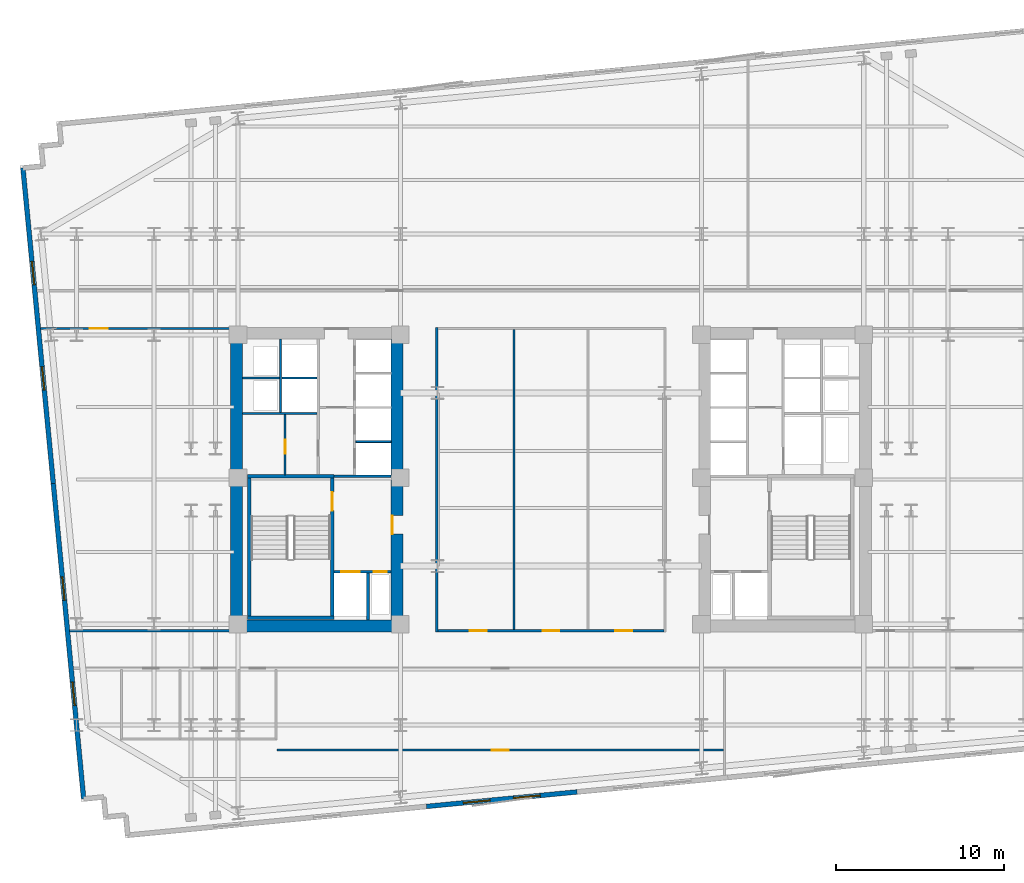
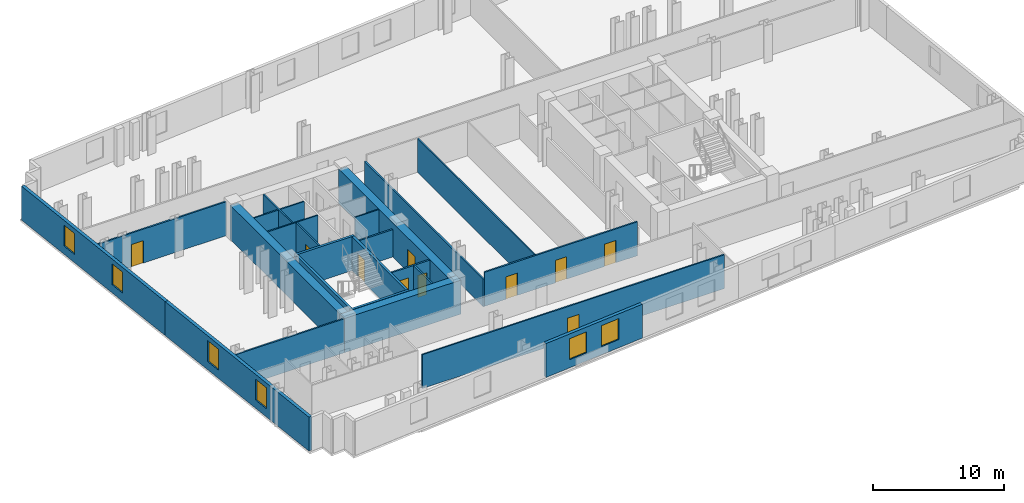
# One storey, part 4 of 10: 25 walls, 10 doors, 6 windows, 16 openings.
"""IFC4 building model written with IfcOpenShell, lengths in metres."""

from ifc_helpers import new_model, si_unit, direction, frame, frame_2d, origin, place, context, subcontext, project, spatial, rectangle, extrude, material, layer, layer_set, type_object, element, fill, save


model = new_model("IFC4")

# Units and contexts
model_context = context("Model", 3, precision=1e-05, world=origin(), true_north=direction((0.0, 1.0)))
body_context = subcontext(model_context, "Body", "Model", "MODEL_VIEW")
ifc_project = project(units=[si_unit("LENGTHUNIT", "METRE"), si_unit("AREAUNIT", "SQUARE_METRE"), si_unit("VOLUMEUNIT", "CUBIC_METRE"), si_unit("PLANEANGLEUNIT", "RADIAN"), si_unit("MASSUNIT", "GRAM", prefix="KILO")], contexts=[model_context])

# Site, building, storey
site_placement = place(None, origin())
site = spatial("IfcSite", under=ifc_project, at=site_placement, CompositionType="ELEMENT")
building_placement = place(site_placement, origin())
building = spatial("IfcBuilding", under=site, at=building_placement, Name="Velakula Bourse", CompositionType="ELEMENT")
storey_placement = place(building_placement, frame((0.0, 0.0, 108.699951171875)))
storey = spatial("IfcBuildingStorey", under=building, at=storey_placement, Name="L29", CompositionType="ELEMENT", Elevation=108.699951171875)

# Wall, opening, door
ifc_material_1 = material(Name="Concrete M50 (fck 50 MPa)", Category="concrete")
ifc_layer_1 = layer(ifc_material_1, 0.2099609375, Name="Concrete M50 (fck 50 MPa)", Category="concrete")
ifc_layer_set_1 = layer_set([ifc_layer_1], Name="Concrete M50 (fck 50 MPa)")
wall_type_1 = type_object("IfcWallType", Name="WL-CORE-210", PredefinedType="SHEAR", material=ifc_layer_set_1)
wall_1_placement = place(storey_placement, frame((-12.9951171875, -8.10009765625, 0.0), z_axis=(0.0, 0.0, 1.0), x_axis=(0.0, 1.0, 0.0)))
wall_1 = element("IfcWall", 1, at=wall_1_placement, inside=storey, type_object=wall_type_1, Name="L29 Core W Stairwell Shear Wall IN", PredefinedType="SHEAR", context=body_context, shape_type="SweptSolid", body=[
    extrude(rectangle(XDim=8.2001953125, YDim=0.2099609375, at=frame_2d((4.10009765625, 0.0))), origin(), (0.0, 0.0, 1.0), 3.170166015625),
])
opening_1_placement = place(wall_1_placement, frame((6.25, 0.0, 0.0)))
opening_1 = element("IfcOpeningElement", 2, at=opening_1_placement, cuts=wall_1, Name="Opening D-STW1", PredefinedType="OPENING", context=body_context, shape_type="SweptSolid", body=[
    extrude(rectangle(XDim=1.10009765625, YDim=2.14990234375, at=frame_2d((0.550048828125, 1.074951171875))), frame((0.0, 0.114990234375, 0.0), z_axis=(0.0, -1.0, 0.0), x_axis=(1.0, 0.0, 0.0)), (0.0, 0.0, 1.0), 0.22998046875),
])
ifc_material_2 = material(Name="Galvanised painted hollow steel fire door", Category="steel")
door_type_1 = type_object("IfcDoorType", Name="DR-FD120-1100x2150", OperationType="NOTDEFINED", PredefinedType="DOOR", material=ifc_material_2)
door_1_placement = place(opening_1_placement, origin())
door_1 = element("IfcDoor", 3, at=door_1_placement, inside=storey, type_object=door_type_1, Name="L29 Stair ST-W1 Fire Door", OperationType="SINGLE_SWING_LEFT", OverallHeight=2.14990234375, OverallWidth=1.10009765625, PredefinedType="DOOR", context=body_context, shape_type="SweptSolid", body=[
    extrude(rectangle(XDim=1.10009765625, YDim=2.14990234375, at=frame_2d((0.550048828125, 1.074951171875))), frame((0.0, 0.02490234375, 0.0), z_axis=(0.0, -1.0, 0.0), x_axis=(1.0, 0.0, 0.0)), (0.0, 0.0, 1.0), 0.050048828125),
])
fill(opening_1, door_1)

# Walls
wall_2_placement = place(storey_placement, frame((-17.925048828125, -8.10009765625, 0.0), z_axis=(0.0, 0.0, 1.0), x_axis=(0.0, 1.0, 0.0)))
element("IfcWall", 4, at=wall_2_placement, inside=storey, type_object=wall_type_1, Name="L29 Core W Stairwell Shear Wall OUT", PredefinedType="SHEAR", context=body_context, shape_type="SweptSolid", body=[
    extrude(rectangle(XDim=8.2001953125, YDim=0.2099609375, at=frame_2d((4.10009765625, 0.0))), origin(), (0.0, 0.0, 1.0), 3.170166015625),
])
for number, where, z_axis, x_axis, name in (
    (5, (-18.030029296875, -8.205078125, 0.0), (0.0, 0.0, 1.0), (1.0, 0.0, 0.0), "L29 Core W Stairwell Shear Wall S"),
    (6, (-12.889892578125, 0.205078125, 0.0), (0.0, 0.0, 1.0), (-1.0, 0.0, 0.0), "L29 Core W Stairwell Shear Wall N"),
):
    element("IfcWall", number, at=place(storey_placement, frame(where, z_axis=z_axis, x_axis=x_axis)), inside=storey, type_object=wall_type_1, Name=name, PredefinedType="SHEAR", context=body_context, shape_type="SweptSolid", body=[
        extrude(rectangle(XDim=5.14013671875, YDim=0.2099609375, at=frame_2d((2.570068359375, 0.0))), origin(), (0.0, 0.0, 1.0), 3.170166015625),
    ])
ifc_material_3 = material(Name="Concrete M70 (fck 70 MPa)", Category="concrete")
ifc_layer_2 = layer(ifc_material_3, 0.699951171875, Name="Concrete M70 (fck 70 MPa)", Category="concrete")
ifc_layer_set_2 = layer_set([ifc_layer_2], Name="Concrete M70 (fck 70 MPa)")
wall_type_2 = type_object("IfcWallType", Name="WL-CORE-700", PredefinedType="SHEAR", material=ifc_layer_set_2)
wall_3_placement = place(storey_placement, frame((-19.050048828125, -8.699951171875, 0.0), z_axis=(0.0, 0.0, 1.0), x_axis=(1.0, 0.0, 0.0)))
element("IfcWall", 7, at=wall_3_placement, inside=storey, type_object=wall_type_2, Name="L29 Core W Shear Wall S", PredefinedType="SHEAR", context=body_context, shape_type="SweptSolid", body=[
    extrude(rectangle(XDim=10.25, YDim=0.699951171875, at=frame_2d((5.125, 0.0))), origin(), (0.0, 0.0, 1.0), 3.170166015625),
])
wall_4_placement = place(storey_placement, frame((-18.699951171875, -8.35009765625, 0.0), z_axis=(0.0, 0.0, 1.0), x_axis=(0.0, 1.0, 0.0)))
element("IfcWall", 8, at=wall_4_placement, inside=storey, type_object=wall_type_2, Name="L29 Core W Shear Wall W", PredefinedType="SHEAR", context=body_context, shape_type="SweptSolid", body=[
    extrude(rectangle(XDim=16.7001953125, YDim=0.699951171875, at=frame_2d((8.35009765625, 0.0))), origin(), (0.0, 0.0, 1.0), 3.170166015625),
])

# Wall, opening, door
wall_5_placement = place(storey_placement, frame((-9.14990234375, -8.35009765625, 0.0), z_axis=(0.0, 0.0, 1.0), x_axis=(0.0, 1.0, 0.0)))
wall_5 = element("IfcWall", 9, at=wall_5_placement, inside=storey, type_object=wall_type_2, Name="L29 Core W Shear Wall E", PredefinedType="SHEAR", context=body_context, shape_type="SweptSolid", body=[
    extrude(rectangle(XDim=16.7001953125, YDim=0.699951171875, at=frame_2d((8.35009765625, 0.0))), origin(), (0.0, 0.0, 1.0), 3.170166015625),
])
opening_2_placement = place(wall_5_placement, frame((5.10009765625, 0.0, 0.0)))
opening_2 = element("IfcOpeningElement", 10, at=opening_2_placement, cuts=wall_5, Name="Opening D-FLW", PredefinedType="OPENING", context=body_context, shape_type="SweptSolid", body=[
    extrude(rectangle(XDim=1.10009765625, YDim=2.080078125, at=frame_2d((0.550048828125, 1.0400390625))), frame((0.0, 0.35986328125, 0.0), z_axis=(0.0, -1.0, 0.0), x_axis=(1.0, 0.0, 0.0)), (0.0, 0.0, 1.0), 0.719970703125),
])
door_type_2 = type_object("IfcDoorType", Name="DR-FD120-1100", OperationType="NOTDEFINED", PredefinedType="DOOR", material=ifc_material_2)
door_2_placement = place(opening_2_placement, origin())
door_2 = element("IfcDoor", 11, at=door_2_placement, inside=storey, type_object=door_type_2, Name="L29 Firefighting Lobby W Corridor Fire Door", OperationType="SINGLE_SWING_LEFT", OverallHeight=2.080078125, OverallWidth=1.10009765625, PredefinedType="DOOR", context=body_context, shape_type="SweptSolid", body=[
    extrude(rectangle(XDim=1.10009765625, YDim=2.080078125, at=frame_2d((0.550048828125, 1.0400390625))), frame((0.0, 0.30517578125, 0.0), z_axis=(0.0, -1.0, 0.0), x_axis=(1.0, 0.0, 0.0)), (0.0, 0.0, 1.0), 0.050048828125),
])
fill(opening_2, door_2)

# Wall, openings, windows
ifc_material_4 = material(Name="Red kilned clay facing brick masonry", Category="masonry")
ifc_layer_3 = layer(ifc_material_4, 0.280029296875, Name="Red kilned clay facing brick masonry", Category="masonry")
ifc_layer_set_3 = layer_set([ifc_layer_3], Name="Red kilned clay facing brick masonry")
wall_type_3 = type_object("IfcWallType", Name="WL-EXT-BRK-280", PredefinedType="STANDARD", material=ifc_layer_set_3)
wall_6_placement = place(storey_placement, frame((1.556396484375, -18.573486328125, 0.0), z_axis=(0.0, 0.0, 1.0), x_axis=(-0.995396794462, -0.09583956164, 0.0)))
wall_6 = element("IfcWall", 12, at=wall_6_placement, inside=storey, type_object=wall_type_3, Name="L29 S Brick Spandrel Wall B2", PredefinedType="STANDARD", context=body_context, shape_type="SweptSolid", body=[
    extrude(rectangle(XDim=9.0, YDim=0.280029296875, at=frame_2d((4.5, 0.0))), origin(), (0.0, 0.0, 1.0), 3.150146484375),
])
opening_3_placement = place(wall_6_placement, frame((2.199951171875, 0.0, 0.760009765625)))
opening_3 = element("IfcOpeningElement", 13, at=opening_3_placement, cuts=wall_6, Name="Opening W-02", PredefinedType="OPENING", context=body_context, shape_type="SweptSolid", body=[
    extrude(rectangle(XDim=1.60009765625, YDim=1.949951171875, at=frame_2d((0.800048828125, 0.97509765625))), frame((0.0, 0.14990234375, 0.0), z_axis=(0.0, -1.0, 0.0), x_axis=(1.0, 0.0, 0.0)), (0.0, 0.0, 1.0), 0.300048828125),
])
opening_4_placement = place(wall_6_placement, frame((5.199951171875, 0.0, 0.760009765625)))
opening_4 = element("IfcOpeningElement", 14, at=opening_4_placement, cuts=wall_6, Name="Opening W-02", PredefinedType="OPENING", context=body_context, shape_type="SweptSolid", body=[
    extrude(rectangle(XDim=1.60009765625, YDim=1.949951171875, at=frame_2d((0.800048828125, 0.97509765625))), frame((0.0, 0.14990234375, 0.0), z_axis=(0.0, -1.0, 0.0), x_axis=(1.0, 0.0, 0.0)), (0.0, 0.0, 1.0), 0.300048828125),
])
ifc_material_5 = material(Name="Double-glazed solar-control Low-E glass", Category="glass")
window_type_1 = type_object("IfcWindowType", Name="WIN-TWR-1600x2100", PartitioningType="SINGLE_PANEL", PredefinedType="WINDOW", material=ifc_material_5)
window_1_placement = place(opening_3_placement, origin())
window_1 = element("IfcWindow", 15, at=window_1_placement, inside=storey, type_object=window_type_1, Name="L29 Deep-Set Recessed Window 1", OverallHeight=1.949951171875, OverallWidth=1.60009765625, PartitioningType="SINGLE_PANEL", PredefinedType="WINDOW", context=body_context, shape_type="SweptSolid", body=[
    extrude(rectangle(XDim=1.60009765625, YDim=1.949951171875, at=frame_2d((0.800048828125, 0.97509765625))), frame((0.0, 0.030029296875, 0.0), z_axis=(0.0, -1.0, 0.0), x_axis=(1.0, 0.0, 0.0)), (0.0, 0.0, 1.0), 0.06005859375),
])
fill(opening_3, window_1)
window_2_placement = place(opening_4_placement, origin())
window_2 = element("IfcWindow", 16, at=window_2_placement, inside=storey, type_object=window_type_1, Name="L29 Deep-Set Recessed Window 2", OverallHeight=1.949951171875, OverallWidth=1.60009765625, PartitioningType="SINGLE_PANEL", PredefinedType="WINDOW", context=body_context, shape_type="SweptSolid", body=[
    extrude(rectangle(XDim=1.60009765625, YDim=1.949951171875, at=frame_2d((0.800048828125, 0.97509765625))), frame((0.0, 0.030029296875, 0.0), z_axis=(0.0, -1.0, 0.0), x_axis=(1.0, 0.0, 0.0)), (0.0, 0.0, 1.0), 0.06005859375),
])
fill(opening_4, window_2)

wall_7_placement = place(storey_placement, frame((-27.779052734375, -18.987060546875, 0.0), z_axis=(0.0, 0.0, 1.0), x_axis=(-0.095842534142, 0.995396508256, 0.0)))
wall_7 = element("IfcWall", 17, at=wall_7_placement, inside=storey, type_object=wall_type_3, Name="L29 W Brick End Wall W1", PredefinedType="STANDARD", context=body_context, shape_type="SweptSolid", body=[
    extrude(rectangle(XDim=18.83984375, YDim=0.280029296875, at=frame_2d((9.419921875, 0.0))), origin(), (0.0, 0.0, 1.0), 3.150146484375),
])
opening_5_placement = place(wall_7_placement, frame((5.580078125, 0.0, 0.760009765625)))
opening_5 = element("IfcOpeningElement", 18, at=opening_5_placement, cuts=wall_7, Name="Opening W-03", PredefinedType="OPENING", context=body_context, shape_type="SweptSolid", body=[
    extrude(rectangle(XDim=1.39990234375, YDim=1.949951171875, at=frame_2d((0.699951171875, 0.97509765625))), frame((0.0, 0.14990234375, 0.0), z_axis=(0.0, -1.0, 0.0), x_axis=(1.0, 0.0, 0.0)), (0.0, 0.0, 1.0), 0.300048828125),
])
opening_6_placement = place(wall_7_placement, frame((11.860107421875, 0.0, 0.760009765625)))
opening_6 = element("IfcOpeningElement", 19, at=opening_6_placement, cuts=wall_7, Name="Opening W-03", PredefinedType="OPENING", context=body_context, shape_type="SweptSolid", body=[
    extrude(rectangle(XDim=1.39990234375, YDim=1.949951171875, at=frame_2d((0.699951171875, 0.97509765625))), frame((0.0, 0.14990234375, 0.0), z_axis=(0.0, -1.0, 0.0), x_axis=(1.0, 0.0, 0.0)), (0.0, 0.0, 1.0), 0.300048828125),
])
window_type_2 = type_object("IfcWindowType", Name="WIN-TWR-1400x2100", PartitioningType="SINGLE_PANEL", PredefinedType="WINDOW", material=ifc_material_5)
window_3_placement = place(opening_5_placement, origin())
window_3 = element("IfcWindow", 20, at=window_3_placement, inside=storey, type_object=window_type_2, Name="L29 Deep-Set Recessed Window 1", OverallHeight=1.949951171875, OverallWidth=1.39990234375, PartitioningType="SINGLE_PANEL", PredefinedType="WINDOW", context=body_context, shape_type="SweptSolid", body=[
    extrude(rectangle(XDim=1.39990234375, YDim=1.949951171875, at=frame_2d((0.699951171875, 0.97509765625))), frame((0.0, 0.030029296875, 0.0), z_axis=(0.0, -1.0, 0.0), x_axis=(1.0, 0.0, 0.0)), (0.0, 0.0, 1.0), 0.06005859375),
])
fill(opening_5, window_3)
window_4_placement = place(opening_6_placement, origin())
window_4 = element("IfcWindow", 21, at=window_4_placement, inside=storey, type_object=window_type_2, Name="L29 Deep-Set Recessed Window 2", OverallHeight=1.949951171875, OverallWidth=1.39990234375, PartitioningType="SINGLE_PANEL", PredefinedType="WINDOW", context=body_context, shape_type="SweptSolid", body=[
    extrude(rectangle(XDim=1.39990234375, YDim=1.949951171875, at=frame_2d((0.699951171875, 0.97509765625))), frame((0.0, 0.030029296875, 0.0), z_axis=(0.0, -1.0, 0.0), x_axis=(1.0, 0.0, 0.0)), (0.0, 0.0, 1.0), 0.06005859375),
])
fill(opening_6, window_4)

wall_8_placement = place(storey_placement, frame((-29.584716796875, -0.23388671875, 0.0), z_axis=(0.0, 0.0, 1.0), x_axis=(-0.095841297881, 0.99539662729, 0.0)))
wall_8 = element("IfcWall", 22, at=wall_8_placement, inside=storey, type_object=wall_type_3, Name="L29 W Brick End Wall W2", PredefinedType="STANDARD", context=body_context, shape_type="SweptSolid", body=[
    extrude(rectangle(XDim=18.840087890625, YDim=0.280029296875, at=frame_2d((9.419921875, 0.0))), origin(), (0.0, 0.0, 1.0), 3.150146484375),
])
opening_7_placement = place(wall_8_placement, frame((5.580078125, 0.0, 0.760009765625)))
opening_7 = element("IfcOpeningElement", 23, at=opening_7_placement, cuts=wall_8, Name="Opening W-03", PredefinedType="OPENING", context=body_context, shape_type="SweptSolid", body=[
    extrude(rectangle(XDim=1.39990234375, YDim=1.949951171875, at=frame_2d((0.699951171875, 0.97509765625))), frame((0.0, 0.14990234375, 0.0), z_axis=(0.0, -1.0, 0.0), x_axis=(1.0, 0.0, 0.0)), (0.0, 0.0, 1.0), 0.300048828125),
])
opening_8_placement = place(wall_8_placement, frame((11.860107421875, 0.0, 0.760009765625)))
opening_8 = element("IfcOpeningElement", 24, at=opening_8_placement, cuts=wall_8, Name="Opening W-03", PredefinedType="OPENING", context=body_context, shape_type="SweptSolid", body=[
    extrude(rectangle(XDim=1.39990234375, YDim=1.949951171875, at=frame_2d((0.699951171875, 0.97509765625))), frame((0.0, 0.14990234375, 0.0), z_axis=(0.0, -1.0, 0.0), x_axis=(1.0, 0.0, 0.0)), (0.0, 0.0, 1.0), 0.300048828125),
])
window_5_placement = place(opening_7_placement, origin())
window_5 = element("IfcWindow", 25, at=window_5_placement, inside=storey, type_object=window_type_2, Name="L29 Deep-Set Recessed Window 1", OverallHeight=1.949951171875, OverallWidth=1.39990234375, PartitioningType="SINGLE_PANEL", PredefinedType="WINDOW", context=body_context, shape_type="SweptSolid", body=[
    extrude(rectangle(XDim=1.39990234375, YDim=1.949951171875, at=frame_2d((0.699951171875, 0.97509765625))), frame((0.0, 0.030029296875, 0.0), z_axis=(0.0, -1.0, 0.0), x_axis=(1.0, 0.0, 0.0)), (0.0, 0.0, 1.0), 0.06005859375),
])
fill(opening_7, window_5)
window_6_placement = place(opening_8_placement, origin())
window_6 = element("IfcWindow", 26, at=window_6_placement, inside=storey, type_object=window_type_2, Name="L29 Deep-Set Recessed Window 2", OverallHeight=1.949951171875, OverallWidth=1.39990234375, PartitioningType="SINGLE_PANEL", PredefinedType="WINDOW", context=body_context, shape_type="SweptSolid", body=[
    extrude(rectangle(XDim=1.39990234375, YDim=1.949951171875, at=frame_2d((0.699951171875, 0.97509765625))), frame((0.0, 0.030029296875, 0.0), z_axis=(0.0, -1.0, 0.0), x_axis=(1.0, 0.0, 0.0)), (0.0, 0.0, 1.0), 0.06005859375),
])
fill(opening_8, window_6)

# Walls
ifc_material_6 = material(Name="Fire-rated double-layer gypsum drywall partition", Category="gypsum")
ifc_layer_4 = layer(ifc_material_6, 0.1201171875, Name="Fire-rated double-layer gypsum drywall partition", Category="gypsum")
ifc_layer_set_4 = layer_set([ifc_layer_4], Name="Fire-rated double-layer gypsum drywall partition")
wall_type_4 = type_object("IfcWallType", Name="WL-PART-120", PredefinedType="STANDARD", material=ifc_layer_set_4)
wall_9_placement = place(storey_placement, frame((-11.60009765625, 2.2548828125, 0.0), z_axis=(0.0, 0.0, 1.0), x_axis=(1.0, 0.0, 0.0)))
element("IfcWall", 27, at=wall_9_placement, inside=storey, type_object=wall_type_4, Name="L29 Interior Partition WL-CRW-L29-BDIV-0", PredefinedType="STANDARD", context=body_context, shape_type="SweptSolid", body=[
    extrude(rectangle(XDim=2.10009765625, YDim=0.110107421875, at=frame_2d((1.050048828125, 0.0))), origin(), (0.0, 0.0, 1.0), 3.150146484375),
])
wall_10_placement = place(storey_placement, frame((-18.35009765625, 3.919921875, 0.0), z_axis=(0.0, 0.0, 1.0), x_axis=(1.0, 0.0, 0.0)))
element("IfcWall", 28, at=wall_10_placement, inside=storey, type_object=wall_type_4, Name="L29 Interior Partition WL-CRW-L29-HI-S", PredefinedType="STANDARD", context=body_context, shape_type="SweptSolid", body=[
    extrude(rectangle(XDim=4.4501953125, YDim=0.1201171875, at=frame_2d((2.22509765625, 0.0))), origin(), (0.0, 0.0, 1.0), 3.150146484375),
])
wall_11_placement = place(storey_placement, frame((-18.35009765625, 6.030029296875, 0.0), z_axis=(0.0, 0.0, 1.0), x_axis=(1.0, 0.0, 0.0)))
element("IfcWall", 29, at=wall_11_placement, inside=storey, type_object=wall_type_4, Name="L29 Interior Partition WL-CRW-L29-RIS-MID", PredefinedType="STANDARD", context=body_context, shape_type="SweptSolid", body=[
    extrude(rectangle(XDim=2.2001953125, YDim=0.1201171875, at=frame_2d((1.10009765625, 0.0))), origin(), (0.0, 0.0, 1.0), 3.150146484375),
])
wall_12_placement = place(storey_placement, frame((-16.074951171875, 3.97998046875, 0.0), z_axis=(0.0, 0.0, 1.0), x_axis=(0.0, 1.0, 0.0)))
element("IfcWall", 30, at=wall_12_placement, inside=storey, type_object=wall_type_4, Name="L29 Interior Partition WL-CRW-L29-RIS-F", PredefinedType="STANDARD", context=body_context, shape_type="SweptSolid", body=[
    extrude(rectangle(XDim=4.3701171875, YDim=0.1201171875, at=frame_2d((2.18505859375, 0.0))), origin(), (0.0, 0.0, 1.0), 3.150146484375),
])
wall_13_placement = place(storey_placement, frame((-16.0, 6.030029296875, 0.0), z_axis=(0.0, 0.0, 1.0), x_axis=(1.0, 0.0, 0.0)))
element("IfcWall", 31, at=wall_13_placement, inside=storey, type_object=wall_type_4, Name="L29 Interior Partition WL-CRW-L29-HI-DIV", PredefinedType="STANDARD", context=body_context, shape_type="SweptSolid", body=[
    extrude(rectangle(XDim=2.10009765625, YDim=0.1201171875, at=frame_2d((1.050048828125, 0.0))), origin(), (0.0, 0.0, 1.0), 3.150146484375),
])

# Wall, opening, door
wall_14_placement = place(storey_placement, frame((-15.800048828125, 0.27001953125, 0.0), z_axis=(0.0, 0.0, 1.0), x_axis=(0.0, 1.0, 0.0)))
wall_14 = element("IfcWall", 32, at=wall_14_placement, inside=storey, type_object=wall_type_4, Name="L29 Interior Partition WL-CRW-L29-K2", PredefinedType="STANDARD", context=body_context, shape_type="SweptSolid", body=[
    extrude(rectangle(XDim=3.590087890625, YDim=0.1201171875, at=frame_2d((1.794921875, 0.0))), origin(), (0.0, 0.0, 1.0), 3.150146484375),
])
opening_9_placement = place(wall_14_placement, frame((1.25, 0.0, 0.0)))
opening_9 = element("IfcOpeningElement", 33, at=opening_9_placement, cuts=wall_14, Name="Opening D-CE1", PredefinedType="OPENING", context=body_context, shape_type="SweptSolid", body=[
    extrude(rectangle(XDim=0.85009765625, YDim=2.050048828125, at=frame_2d((0.425048828125, 1.02490234375))), frame((0.0, 0.070068359375, 0.0), z_axis=(0.0, -1.0, 0.0), x_axis=(1.0, 0.0, 0.0)), (0.0, 0.0, 1.0), 0.14013671875),
])
ifc_material_7 = material(Name="Fire-rated hardwood flush architectural door", Category="wood")
door_type_3 = type_object("IfcDoorType", Name="DR-INT-850", OperationType="NOTDEFINED", PredefinedType="DOOR", material=ifc_material_7)
door_3_placement = place(opening_9_placement, origin())
door_3 = element("IfcDoor", 34, at=door_3_placement, inside=storey, type_object=door_type_3, Name="L29 Core Equipment Store Door", OperationType="SINGLE_SWING_RIGHT", OverallHeight=2.050048828125, OverallWidth=0.85009765625, PredefinedType="DOOR", context=body_context, shape_type="SweptSolid", body=[
    extrude(rectangle(XDim=0.85009765625, YDim=2.050048828125, at=frame_2d((0.425048828125, 1.02490234375))), frame((0.0, 0.02490234375, 0.0), z_axis=(0.0, -1.0, 0.0), x_axis=(1.0, 0.0, 0.0)), (0.0, 0.0, 1.0), 0.050048828125),
])
fill(opening_9, door_3)

wall_15_placement = place(storey_placement, frame((-16.279052734375, -16.0849609375, 0.0), z_axis=(0.0, 0.0, 1.0), x_axis=(1.0, 0.0, 0.0)))
wall_15 = element("IfcWall", 35, at=wall_15_placement, inside=storey, type_object=wall_type_4, Name="L29 Interior Partition WL-INT-L29-S-MID", PredefinedType="STANDARD", context=body_context, shape_type="SweptSolid", body=[
    extrude(rectangle(XDim=26.5361328125, YDim=0.1201171875, at=frame_2d((13.26806640625, 0.0))), origin(), (0.0, 0.0, 1.0), 3.150146484375),
])
opening_10_placement = place(wall_15_placement, frame((12.76806640625, 0.0, 0.0)))
opening_10 = element("IfcOpeningElement", 36, at=opening_10_placement, cuts=wall_15, Name="Opening D-OF1", PredefinedType="OPENING", context=body_context, shape_type="SweptSolid", body=[
    extrude(rectangle(XDim=1.0, YDim=2.080078125, at=frame_2d((0.5, 1.0400390625))), frame((0.0, 0.070068359375, 0.0), z_axis=(0.0, -1.0, 0.0), x_axis=(1.0, 0.0, 0.0)), (0.0, 0.0, 1.0), 0.14013671875),
])
door_type_4 = type_object("IfcDoorType", Name="DR-OFF-1000", OperationType="NOTDEFINED", PredefinedType="DOOR", material=ifc_material_7)
door_4_placement = place(opening_10_placement, origin())
door_4 = element("IfcDoor", 37, at=door_4_placement, inside=storey, type_object=door_type_4, Name="L29 Members Dining Lounge Door", OperationType="SINGLE_SWING_LEFT", OverallHeight=2.080078125, OverallWidth=1.0, PredefinedType="DOOR", context=body_context, shape_type="SweptSolid", body=[
    extrude(rectangle(XDim=1.0, YDim=2.080078125, at=frame_2d((0.5, 1.0400390625))), frame((0.0, 0.02490234375, 0.0), z_axis=(0.0, -1.0, 0.0), x_axis=(1.0, 0.0, 0.0)), (0.0, 0.0, 1.0), 0.050048828125),
])
fill(opening_10, door_4)

ifc_layer_5 = layer(ifc_material_6, 0.139892578125, Name="Fire-rated double-layer gypsum drywall partition", Category="gypsum")
ifc_layer_set_5 = layer_set([ifc_layer_5], Name="Fire-rated double-layer gypsum drywall partition")
wall_type_5 = type_object("IfcWallType", Name="WL-PART-140", PredefinedType="STANDARD", material=ifc_layer_set_5)
wall_16_placement = place(storey_placement, frame((-30.351318359375, 8.97998046875, 0.0), z_axis=(0.0, 0.0, 1.0), x_axis=(1.0, 0.0, 0.0)))
wall_16 = element("IfcWall", 38, at=wall_16_placement, inside=storey, type_object=wall_type_5, Name="L29 Interior Partition WL-INT-L29-W-NC", PredefinedType="STANDARD", context=body_context, shape_type="SweptSolid", body=[
    extrude(rectangle(XDim=11.30126953125, YDim=0.139892578125, at=frame_2d((5.650634765625, 0.0))), origin(), (0.0, 0.0, 1.0), 3.150146484375),
])
opening_11_placement = place(wall_16_placement, frame((2.94140625, 0.0, 0.0)))
opening_11 = element("IfcOpeningElement", 39, at=opening_11_placement, cuts=wall_16, Name="Opening D-OF2", PredefinedType="OPENING", context=body_context, shape_type="SweptSolid", body=[
    extrude(rectangle(XDim=1.050048828125, YDim=2.080078125, at=frame_2d((0.52490234375, 1.0400390625))), frame((0.0, 0.079833984375, 0.0), z_axis=(0.0, -1.0, 0.0), x_axis=(1.0, 0.0, 0.0)), (0.0, 0.0, 1.0), 0.159912109375),
])
door_type_5 = type_object("IfcDoorType", Name="DR-OFF-1050", OperationType="NOTDEFINED", PredefinedType="DOOR", material=ifc_material_7)
door_5_placement = place(opening_11_placement, origin())
door_5 = element("IfcDoor", 40, at=door_5_placement, inside=storey, type_object=door_type_5, Name="L29 Economic Reference Library Door", OperationType="SINGLE_SWING_LEFT", OverallHeight=2.080078125, OverallWidth=1.050048828125, PredefinedType="DOOR", context=body_context, shape_type="SweptSolid", body=[
    extrude(rectangle(XDim=1.050048828125, YDim=2.080078125, at=frame_2d((0.52490234375, 1.0400390625))), frame((0.0, 0.02490234375, 0.0), z_axis=(0.0, -1.0, 0.0), x_axis=(1.0, 0.0, 0.0)), (0.0, 0.0, 1.0), 0.050048828125),
])
fill(opening_11, door_5)

# Walls
wall_17_placement = place(storey_placement, frame((-28.6220703125, -8.97998046875, 0.0), z_axis=(0.0, 0.0, 1.0), x_axis=(1.0, 0.0, 0.0)))
element("IfcWall", 41, at=wall_17_placement, inside=storey, type_object=wall_type_5, Name="L29 Interior Partition WL-INT-L29-W-SC", PredefinedType="STANDARD", context=body_context, shape_type="SweptSolid", body=[
    extrude(rectangle(XDim=9.572021484375, YDim=0.139892578125, at=frame_2d((4.7861328125, 0.0))), origin(), (0.0, 0.0, 1.0), 3.150146484375),
])
wall_18_placement = place(storey_placement, frame((-6.780029296875, -9.050048828125, 0.0), z_axis=(0.0, 0.0, 1.0), x_axis=(0.0, 1.0, 0.0)))
element("IfcWall", 42, at=wall_18_placement, inside=storey, type_object=wall_type_5, Name="L29 Interior Partition WL-INT-L29-MID-W", PredefinedType="STANDARD", context=body_context, shape_type="SweptSolid", body=[
    extrude(rectangle(XDim=18.10009765625, YDim=0.139892578125, at=frame_2d((9.050048828125, 0.0))), origin(), (0.0, 0.0, 1.0), 2.545166015625),
])

# Wall, openings, doors
wall_19_placement = place(storey_placement, frame((-6.7099609375, -8.97998046875, 0.0), z_axis=(0.0, 0.0, 1.0), x_axis=(1.0, 0.0, 0.0)))
wall_19 = element("IfcWall", 43, at=wall_19_placement, inside=storey, type_object=wall_type_5, Name="L29 Interior Partition WL-INT-L29-MID-S", PredefinedType="STANDARD", context=body_context, shape_type="SweptSolid", body=[
    extrude(rectangle(XDim=13.419921875, YDim=0.139892578125, at=frame_2d((6.7099609375, 0.0))), origin(), (0.0, 0.0, 1.0), 3.150146484375),
])
opening_12_placement = place(wall_19_placement, frame((1.881103515625, 0.0, 0.0)))
opening_12 = element("IfcOpeningElement", 44, at=opening_12_placement, cuts=wall_19, Name="Opening D-OF1", PredefinedType="OPENING", context=body_context, shape_type="SweptSolid", body=[
    extrude(rectangle(XDim=1.0, YDim=2.080078125, at=frame_2d((0.5, 1.0400390625))), frame((0.0, 0.079833984375, 0.0), z_axis=(0.0, -1.0, 0.0), x_axis=(1.0, 0.0, 0.0)), (0.0, 0.0, 1.0), 0.159912109375),
])
opening_13_placement = place(wall_19_placement, frame((6.2099609375, 0.0, 0.0)))
opening_13 = element("IfcOpeningElement", 45, at=opening_13_placement, cuts=wall_19, Name="Opening D-OF1", PredefinedType="OPENING", context=body_context, shape_type="SweptSolid", body=[
    extrude(rectangle(XDim=1.0, YDim=2.080078125, at=frame_2d((0.5, 1.0400390625))), frame((0.0, 0.079833984375, 0.0), z_axis=(0.0, -1.0, 0.0), x_axis=(1.0, 0.0, 0.0)), (0.0, 0.0, 1.0), 0.159912109375),
])
opening_14_placement = place(wall_19_placement, frame((10.5390625, 0.0, 0.0)))
opening_14 = element("IfcOpeningElement", 46, at=opening_14_placement, cuts=wall_19, Name="Opening D-OF1", PredefinedType="OPENING", context=body_context, shape_type="SweptSolid", body=[
    extrude(rectangle(XDim=1.0, YDim=2.080078125, at=frame_2d((0.5, 1.0400390625))), frame((0.0, 0.079833984375, 0.0), z_axis=(0.0, -1.0, 0.0), x_axis=(1.0, 0.0, 0.0)), (0.0, 0.0, 1.0), 0.159912109375),
])
door_6_placement = place(opening_12_placement, origin())
door_6 = element("IfcDoor", 47, at=door_6_placement, inside=storey, type_object=door_type_4, Name="L29 Central Listing Chamber West Door", OperationType="SINGLE_SWING_LEFT", OverallHeight=2.080078125, OverallWidth=1.0, PredefinedType="DOOR", context=body_context, shape_type="SweptSolid", body=[
    extrude(rectangle(XDim=1.0, YDim=2.080078125, at=frame_2d((0.5, 1.0400390625))), frame((0.0, 0.02490234375, 0.0), z_axis=(0.0, -1.0, 0.0), x_axis=(1.0, 0.0, 0.0)), (0.0, 0.0, 1.0), 0.050048828125),
])
fill(opening_12, door_6)
door_7_placement = place(opening_13_placement, origin())
door_7 = element("IfcDoor", 48, at=door_7_placement, inside=storey, type_object=door_type_4, Name="L29 Central Clearing Forum Door", OperationType="SINGLE_SWING_RIGHT", OverallHeight=2.080078125, OverallWidth=1.0, PredefinedType="DOOR", context=body_context, shape_type="SweptSolid", body=[
    extrude(rectangle(XDim=1.0, YDim=2.080078125, at=frame_2d((0.5, 1.0400390625))), frame((0.0, 0.02490234375, 0.0), z_axis=(0.0, -1.0, 0.0), x_axis=(1.0, 0.0, 0.0)), (0.0, 0.0, 1.0), 0.050048828125),
])
fill(opening_13, door_7)
door_8_placement = place(opening_14_placement, origin())
door_8 = element("IfcDoor", 49, at=door_8_placement, inside=storey, type_object=door_type_4, Name="L29 Central Custody Office East Door", OperationType="SINGLE_SWING_LEFT", OverallHeight=2.080078125, OverallWidth=1.0, PredefinedType="DOOR", context=body_context, shape_type="SweptSolid", body=[
    extrude(rectangle(XDim=1.0, YDim=2.080078125, at=frame_2d((0.5, 1.0400390625))), frame((0.0, 0.02490234375, 0.0), z_axis=(0.0, -1.0, 0.0), x_axis=(1.0, 0.0, 0.0)), (0.0, 0.0, 1.0), 0.050048828125),
])
fill(opening_14, door_8)

# Wall
wall_20_placement = place(storey_placement, frame((-2.199951171875, -8.909912109375, 0.0), z_axis=(0.0, 0.0, 1.0), x_axis=(0.0, 1.0, 0.0)))
element("IfcWall", 50, at=wall_20_placement, inside=storey, type_object=wall_type_5, Name="L29 Interior Partition WL-INT-L29-MD5V1", PredefinedType="STANDARD", context=body_context, shape_type="SweptSolid", body=[
    extrude(rectangle(XDim=17.81982421875, YDim=0.1201171875, at=frame_2d((8.909912109375, 0.0))), origin(), (0.0, 0.0, 1.0), 3.150146484375),
])

# Wall, openings, doors
ifc_material_8 = material(Name="Autoclaved aerated concrete blockwork masonry", Category="masonry")
ifc_layer_6 = layer(ifc_material_8, 0.14990234375, Name="Autoclaved aerated concrete blockwork masonry", Category="masonry")
ifc_layer_set_6 = layer_set([ifc_layer_6], Name="Autoclaved aerated concrete blockwork masonry")
wall_type_6 = type_object("IfcWallType", Name="WL-SHAFT-150", PredefinedType="STANDARD", material=ifc_layer_set_6)
wall_21_placement = place(storey_placement, frame((-12.89501953125, -5.47509765625, 0.0), z_axis=(0.0, 0.0, 1.0), x_axis=(1.0, 0.0, 0.0)))
wall_21 = element("IfcWall", 51, at=wall_21_placement, inside=storey, type_object=wall_type_6, Name="L29 Interior Partition WL-CRW-L29-FFL-N", PredefinedType="STANDARD", context=body_context, shape_type="SweptSolid", body=[
    extrude(rectangle(XDim=3.39501953125, YDim=0.14990234375, at=frame_2d((1.697509765625, 0.0))), origin(), (0.0, 0.0, 1.0), 3.150146484375),
])
opening_15_placement = place(wall_21_placement, frame((0.419921875, 0.0, 0.0)))
opening_15 = element("IfcOpeningElement", 52, at=opening_15_placement, cuts=wall_21, Name="Opening LD-FFL-1", PredefinedType="OPENING", context=body_context, shape_type="SweptSolid", body=[
    extrude(rectangle(XDim=1.10009765625, YDim=2.14990234375, at=frame_2d((0.550048828125, 1.074951171875))), frame((0.0, 0.0849609375, 0.0), z_axis=(0.0, -1.0, 0.0), x_axis=(1.0, 0.0, 0.0)), (0.0, 0.0, 1.0), 0.169921875),
])
opening_16_placement = place(wall_21_placement, frame((2.3701171875, 0.0, 0.0)))
opening_16 = element("IfcOpeningElement", 53, at=opening_16_placement, cuts=wall_21, Name="Opening D-RS1", PredefinedType="OPENING", context=body_context, shape_type="SweptSolid", body=[
    extrude(rectangle(XDim=0.75, YDim=2.050048828125, at=frame_2d((0.375, 1.02490234375))), frame((0.0, 0.0849609375, 0.0), z_axis=(0.0, -1.0, 0.0), x_axis=(1.0, 0.0, 0.0)), (0.0, 0.0, 1.0), 0.169921875),
])
door_type_6 = type_object("IfcDoorType", Name="DR-RISER-800", OperationType="NOTDEFINED", PredefinedType="DOOR", material=ifc_material_2)
door_9_placement = place(opening_16_placement, origin())
door_9 = element("IfcDoor", 54, at=door_9_placement, inside=storey, type_object=door_type_6, Name="L29 Fire Riser Access Door", OperationType="SINGLE_SWING_LEFT", OverallHeight=2.050048828125, OverallWidth=0.75, PredefinedType="DOOR", context=body_context, shape_type="SweptSolid", body=[
    extrude(rectangle(XDim=0.75, YDim=2.050048828125, at=frame_2d((0.375, 1.02490234375))), frame((0.0, 0.02490234375, 0.0), z_axis=(0.0, -1.0, 0.0), x_axis=(1.0, 0.0, 0.0)), (0.0, 0.0, 1.0), 0.050048828125),
])
fill(opening_16, door_9)
ifc_material_9 = material(Name="Brushed grade 316 stainless steel", Category="steel")
door_type_7 = type_object("IfcDoorType", Name="DR-SLIDE-FFL-1100", OperationType="DOUBLE_DOOR_SLIDING", PredefinedType="DOOR", material=ifc_material_9)
door_10_placement = place(opening_15_placement, origin())
door_10 = element("IfcDoor", 55, at=door_10_placement, inside=storey, type_object=door_type_7, Name="L29 Firefighting Lift FFL-1 Sliding Landing Door", OperationType="DOUBLE_DOOR_SLIDING", OverallHeight=2.14990234375, OverallWidth=1.10009765625, PredefinedType="DOOR", context=body_context, shape_type="SweptSolid", body=[
    extrude(rectangle(XDim=1.10009765625, YDim=2.14990234375, at=frame_2d((0.550048828125, 1.074951171875))), frame((0.0, 0.02490234375, 0.0), z_axis=(0.0, -1.0, 0.0), x_axis=(1.0, 0.0, 0.0)), (0.0, 0.0, 1.0), 0.050048828125),
])
fill(opening_15, door_10)

# Walls
wall_22_placement = place(storey_placement, frame((-10.875, -8.35009765625, 0.0), z_axis=(0.0, 0.0, 1.0), x_axis=(0.0, 1.0, 0.0)))
element("IfcWall", 56, at=wall_22_placement, inside=storey, type_object=wall_type_6, Name="L29 Interior Partition WL-CRW-L29-FR-DIV", PredefinedType="STANDARD", context=body_context, shape_type="SweptSolid", body=[
    extrude(rectangle(XDim=2.800048828125, YDim=0.14990234375, at=frame_2d((1.39990234375, 0.0))), origin(), (0.0, 0.0, 1.0), 3.150146484375),
])
wall_23_placement = place(storey_placement, frame((-12.889892578125, 0.18994140625, 0.0), z_axis=(0.0, 0.0, 1.0), x_axis=(1.0, 0.0, 0.0)))
element("IfcWall", 57, at=wall_23_placement, inside=storey, type_object=wall_type_6, Name="L29 Interior Partition WL-CRW-L29-FF-TOP", PredefinedType="STANDARD", context=body_context, shape_type="SweptSolid", body=[
    extrude(rectangle(XDim=3.389892578125, YDim=0.14990234375, at=frame_2d((1.69482421875, 0.0))), origin(), (0.0, 0.0, 1.0), 2.545166015625),
])

save(model, "model.ifc")
